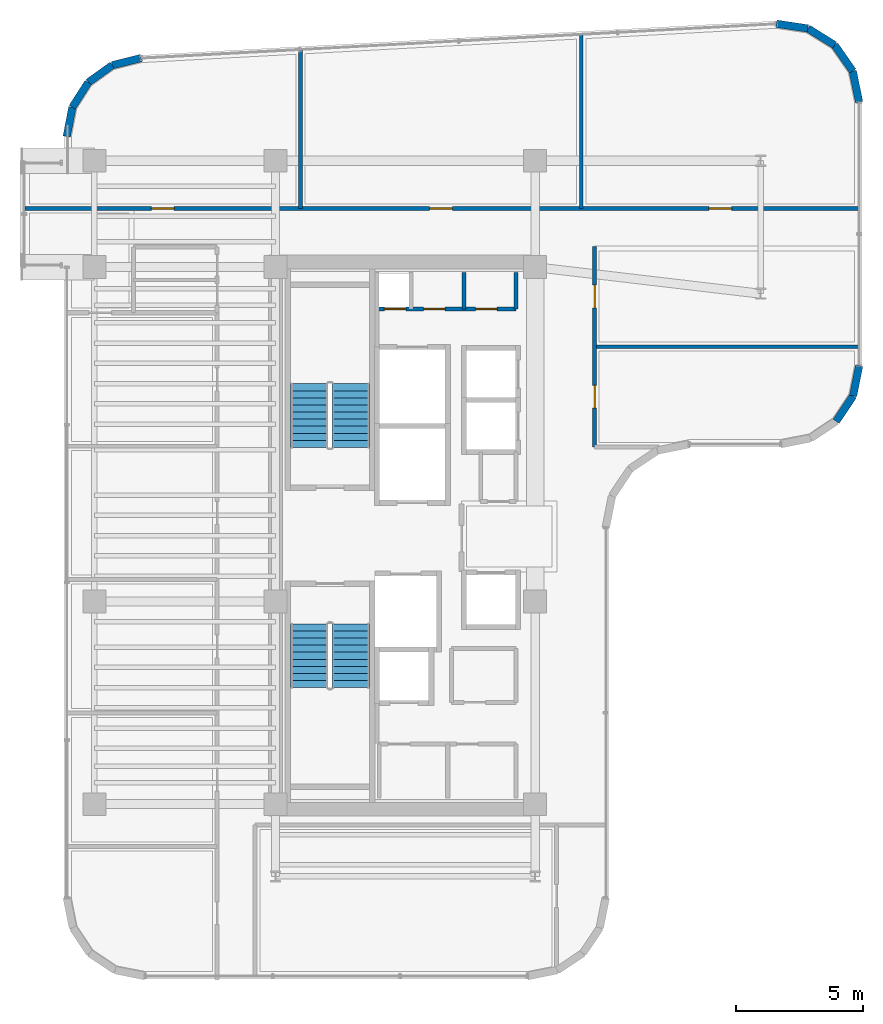
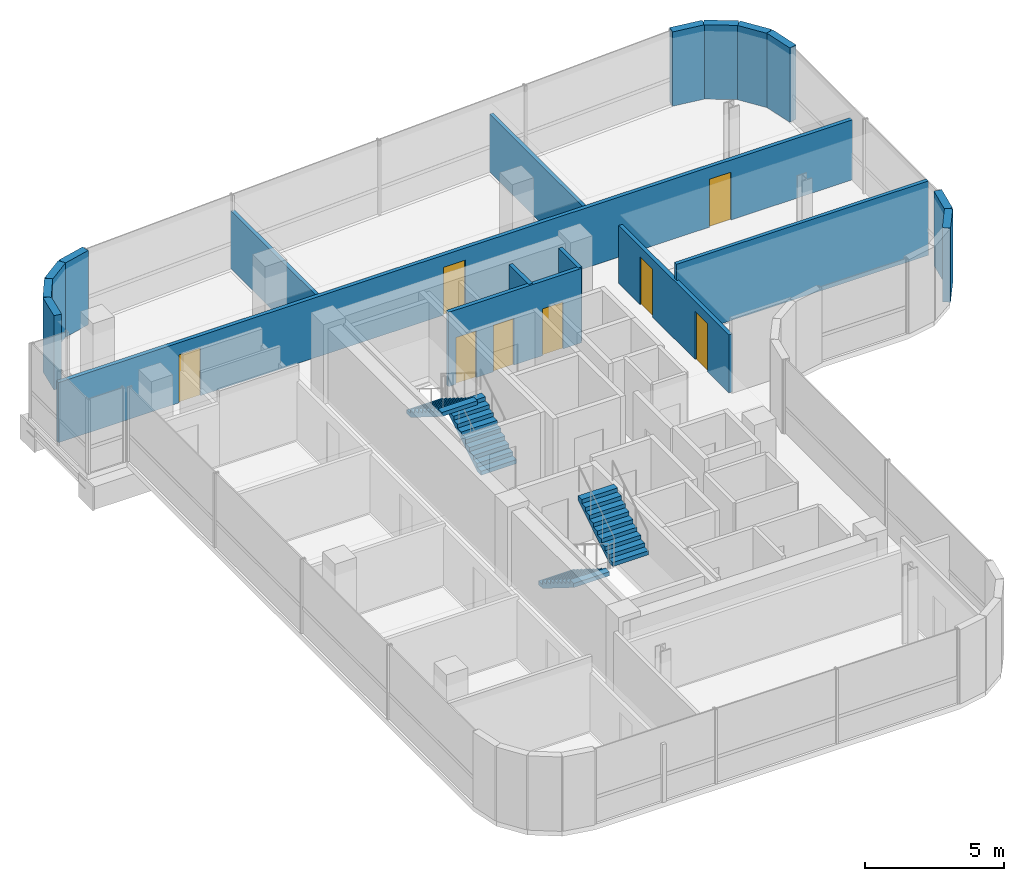
# One storey, part 19 of 21: 18 walls, 8 doors, 4 stair flights, 8 openings, 2 elements without a shape of their own.
"""IFC4 building model written with IfcOpenShell, lengths in metres."""

from ifc_helpers import new_model, si_unit, direction, frame, frame_2d, origin, place, context, subcontext, project, spatial, polyline, rectangle, outline, extrude, material, layer, layer_set, type_object, element, fill, aggregate, save


model = new_model("IFC4")

# Units and contexts
model_context = context("Model", 3, precision=1e-05, world=origin(), true_north=direction((0.0, 1.0)))
body_context = subcontext(model_context, "Body", "Model", "MODEL_VIEW")
ifc_project = project(units=[si_unit("LENGTHUNIT", "METRE"), si_unit("AREAUNIT", "SQUARE_METRE"), si_unit("VOLUMEUNIT", "CUBIC_METRE"), si_unit("PLANEANGLEUNIT", "RADIAN"), si_unit("MASSUNIT", "GRAM", prefix="KILO")], contexts=[model_context])

# Site, building, storey
site_placement = place(None, origin())
site = spatial("IfcSite", under=ifc_project, at=site_placement, CompositionType="ELEMENT")
building_placement = place(site_placement, origin())
building = spatial("IfcBuilding", under=site, at=building_placement, Name="Valdorenza Pilgrim Sanctuary Tower", CompositionType="ELEMENT")
storey_placement = place(building_placement, frame((0.0, 0.0, 223.0)))
storey = spatial("IfcBuildingStorey", under=building, at=storey_placement, Name="L57", CompositionType="ELEMENT", Elevation=223.0)

# Wall, openings, doors
ifc_material_1 = material(Name="Acoustic twin-stud gypsum partition", Category="gypsum")
ifc_layer_1 = layer(ifc_material_1, 0.159912109375, Name="Acoustic twin-stud gypsum partition")
ifc_layer_set_1 = layer_set([ifc_layer_1], Name="Acoustic twin-stud gypsum partition")
wall_type_1 = type_object("IfcWallType", Name="WAL-COR-160", PredefinedType="PARTITIONING", material=ifc_layer_set_1)
wall_1_placement = place(storey_placement, frame((-18.64990234375, 8.949951171875, 0.0), z_axis=(0.0, 0.0, 1.0), x_axis=(1.0, 0.0, 0.0)))
wall_1 = element("IfcWall", 1, at=wall_1_placement, inside=storey, type_object=wall_type_1, Name="L57 Core A North Service South Wall", PredefinedType="PARTITIONING", context=body_context, shape_type="SweptSolid", body=[
    extrude(rectangle(XDim=5.5, YDim=0.159912109375, at=frame_2d((2.75, 0.0))), origin(), (0.0, 0.0, 1.0), 3.260009765625),
])
opening_1_placement = place(wall_1_placement, frame((0.300048828125, 0.0, 0.0)))
opening_1 = element("IfcOpeningElement", 2, at=opening_1_placement, cuts=wall_1, Name="Opening DR-RS1", PredefinedType="OPENING", context=body_context, shape_type="SweptSolid", body=[
    extrude(rectangle(XDim=0.85009765625, YDim=2.050048828125, at=frame_2d((0.425048828125, 1.02490234375))), frame((0.0, 0.0947265625, 0.0), z_axis=(0.0, -1.0, 0.0), x_axis=(1.0, 0.0, 0.0)), (0.0, 0.0, 1.0), 0.189697265625),
])
opening_2_placement = place(wall_1_placement, frame((1.85009765625, 0.0, 0.0)))
opening_2 = element("IfcOpeningElement", 3, at=opening_2_placement, cuts=wall_1, Name="Opening DR-RS1", PredefinedType="OPENING", context=body_context, shape_type="SweptSolid", body=[
    extrude(rectangle(XDim=0.85009765625, YDim=2.050048828125, at=frame_2d((0.425048828125, 1.02490234375))), frame((0.0, 0.0947265625, 0.0), z_axis=(0.0, -1.0, 0.0), x_axis=(1.0, 0.0, 0.0)), (0.0, 0.0, 1.0), 0.189697265625),
])
opening_3_placement = place(wall_1_placement, frame((3.89990234375, 0.0, 0.0)))
opening_3 = element("IfcOpeningElement", 4, at=opening_3_placement, cuts=wall_1, Name="Opening DR-RS1", PredefinedType="OPENING", context=body_context, shape_type="SweptSolid", body=[
    extrude(rectangle(XDim=0.85009765625, YDim=2.050048828125, at=frame_2d((0.425048828125, 1.02490234375))), frame((0.0, 0.0947265625, 0.0), z_axis=(0.0, -1.0, 0.0), x_axis=(1.0, 0.0, 0.0)), (0.0, 0.0, 1.0), 0.189697265625),
])
ifc_material_2 = material(Name="Painted galvanized steel", Category="steel")
door_type_1 = type_object("IfcDoorType", Name="DR-RSR-850", OperationType="NOTDEFINED", PredefinedType="DOOR", material=ifc_material_2)
door_1_placement = place(opening_1_placement, origin())
door_1 = element("IfcDoor", 5, at=door_1_placement, inside=storey, type_object=door_type_1, Name="L57 Core Electrical and Telecom Riser Door", OperationType="SINGLE_SWING_LEFT", OverallHeight=2.050048828125, OverallWidth=0.85009765625, PredefinedType="DOOR", context=body_context, shape_type="SweptSolid", body=[
    extrude(rectangle(XDim=0.85009765625, YDim=2.050048828125, at=frame_2d((0.425048828125, 1.02490234375))), frame((0.0, 0.02490234375, 0.0), z_axis=(0.0, -1.0, 0.0), x_axis=(1.0, 0.0, 0.0)), (0.0, 0.0, 1.0), 0.050048828125),
])
fill(opening_1, door_1)
door_2_placement = place(opening_2_placement, origin())
door_2 = element("IfcDoor", 6, at=door_2_placement, inside=storey, type_object=door_type_1, Name="L57 Housekeeping and Clean Linen Room Door", OperationType="SINGLE_SWING_RIGHT", OverallHeight=2.050048828125, OverallWidth=0.85009765625, PredefinedType="DOOR", context=body_context, shape_type="SweptSolid", body=[
    extrude(rectangle(XDim=0.85009765625, YDim=2.050048828125, at=frame_2d((0.425048828125, 1.02490234375))), frame((0.0, 0.02490234375, 0.0), z_axis=(0.0, -1.0, 0.0), x_axis=(1.0, 0.0, 0.0)), (0.0, 0.0, 1.0), 0.050048828125),
])
fill(opening_2, door_2)
door_3_placement = place(opening_3_placement, origin())
door_3 = element("IfcDoor", 7, at=door_3_placement, inside=storey, type_object=door_type_1, Name="L57 Guest Ice and Vending Pantry Door", OperationType="SINGLE_SWING_LEFT", OverallHeight=2.050048828125, OverallWidth=0.85009765625, PredefinedType="DOOR", context=body_context, shape_type="SweptSolid", body=[
    extrude(rectangle(XDim=0.85009765625, YDim=2.050048828125, at=frame_2d((0.425048828125, 1.02490234375))), frame((0.0, 0.02490234375, 0.0), z_axis=(0.0, -1.0, 0.0), x_axis=(1.0, 0.0, 0.0)), (0.0, 0.0, 1.0), 0.050048828125),
])
fill(opening_3, door_3)

# Walls
for number, where, z_axis, x_axis, name in (
    (8, (-13.14990234375, 8.949951171875, 0.0), (0.0, 0.0, 1.0), (0.0, 1.0, 0.0), "L57 Core A North Service East Wall"),
    (9, (-15.199951171875, 8.949951171875, 0.0), (0.0, 0.0, 1.0), (0.0, 1.0, 0.0), "L57 Core A Housekeeping Split B"),
):
    element("IfcWall", number, at=place(storey_placement, frame(where, z_axis=z_axis, x_axis=x_axis)), inside=storey, type_object=wall_type_1, Name=name, PredefinedType="PARTITIONING", context=body_context, shape_type="SweptSolid", body=[
        extrude(rectangle(XDim=1.429931640625, YDim=0.159912109375, at=frame_2d((0.71484375, 0.0))), origin(), (0.0, 0.0, 1.0), 3.260009765625),
    ])

# Wall, openings, doors
wall_2_placement = place(storey_placement, frame((-32.5400390625, 12.919921875, 0.0), z_axis=(0.0, 0.0, 1.0), x_axis=(1.0, 0.0, 0.0)))
wall_2 = element("IfcWall", 10, at=wall_2_placement, inside=storey, type_object=wall_type_1, Name="L57 North Corridor Wall", PredefinedType="PARTITIONING", context=body_context, shape_type="SweptSolid", body=[
    extrude(rectangle(XDim=32.929931640625, YDim=0.159912109375, at=frame_2d((16.46484375, 0.0))), origin(), (0.0, 0.0, 1.0), 2.634033203125),
])
opening_4_placement = place(wall_2_placement, frame((4.989990234375, 0.0, 0.0)))
opening_4 = element("IfcOpeningElement", 11, at=opening_4_placement, cuts=wall_2, Name="Opening DR-RM1", PredefinedType="OPENING", context=body_context, shape_type="SweptSolid", body=[
    extrude(rectangle(XDim=0.89990234375, YDim=2.10009765625, at=frame_2d((0.449951171875, 1.050048828125))), frame((0.0, 0.0947265625, 0.0), z_axis=(0.0, -1.0, 0.0), x_axis=(1.0, 0.0, 0.0)), (0.0, 0.0, 1.0), 0.189697265625),
])
opening_5_placement = place(wall_2_placement, frame((15.969970703125, 0.0, 0.0)))
opening_5 = element("IfcOpeningElement", 12, at=opening_5_placement, cuts=wall_2, Name="Opening DR-RM1", PredefinedType="OPENING", context=body_context, shape_type="SweptSolid", body=[
    extrude(rectangle(XDim=0.89990234375, YDim=2.10009765625, at=frame_2d((0.449951171875, 1.050048828125))), frame((0.0, 0.0947265625, 0.0), z_axis=(0.0, -1.0, 0.0), x_axis=(1.0, 0.0, 0.0)), (0.0, 0.0, 1.0), 0.189697265625),
])
opening_6_placement = place(wall_2_placement, frame((26.9951171875, 0.0, 0.0)))
opening_6 = element("IfcOpeningElement", 13, at=opening_6_placement, cuts=wall_2, Name="Opening DR-RM1", PredefinedType="OPENING", context=body_context, shape_type="SweptSolid", body=[
    extrude(rectangle(XDim=0.89990234375, YDim=2.10009765625, at=frame_2d((0.449951171875, 1.050048828125))), frame((0.0, 0.0947265625, 0.0), z_axis=(0.0, -1.0, 0.0), x_axis=(1.0, 0.0, 0.0)), (0.0, 0.0, 1.0), 0.189697265625),
])
ifc_material_3 = material(Name="Solid-core European oak timber", Category="wood")
door_type_2 = type_object("IfcDoorType", Name="DR-ROOM-900", OperationType="NOTDEFINED", PredefinedType="DOOR", material=ifc_material_3)
door_4_placement = place(opening_4_placement, frame((0.89990234375, 0.0, 0.0), z_axis=(0.0, 0.0, 1.0), x_axis=(-1.0, 0.0, 0.0)))
door_4 = element("IfcDoor", 14, at=door_4_placement, inside=storey, type_object=door_type_2, Name="L57 Sanctuary Administration Office L57-N1 Door", OperationType="SINGLE_SWING_LEFT", OverallHeight=2.10009765625, OverallWidth=0.89990234375, PredefinedType="DOOR", context=body_context, shape_type="SweptSolid", body=[
    extrude(rectangle(XDim=0.89990234375, YDim=2.10009765625, at=frame_2d((0.449951171875, 1.050048828125))), frame((0.0, 0.02490234375, 0.0), z_axis=(0.0, -1.0, 0.0), x_axis=(1.0, 0.0, 0.0)), (0.0, 0.0, 1.0), 0.050048828125),
])
fill(opening_4, door_4)
door_5_placement = place(opening_5_placement, origin())
door_5 = element("IfcDoor", 15, at=door_5_placement, inside=storey, type_object=door_type_2, Name="L57 Sanctuary Administration Office L57-N2 Door", OperationType="SINGLE_SWING_RIGHT", OverallHeight=2.10009765625, OverallWidth=0.89990234375, PredefinedType="DOOR", context=body_context, shape_type="SweptSolid", body=[
    extrude(rectangle(XDim=0.89990234375, YDim=2.10009765625, at=frame_2d((0.449951171875, 1.050048828125))), frame((0.0, 0.02490234375, 0.0), z_axis=(0.0, -1.0, 0.0), x_axis=(1.0, 0.0, 0.0)), (0.0, 0.0, 1.0), 0.050048828125),
])
fill(opening_5, door_5)
door_6_placement = place(opening_6_placement, frame((0.89990234375, 0.0, 0.0), z_axis=(0.0, 0.0, 1.0), x_axis=(-1.0, 0.0, 0.0)))
door_6 = element("IfcDoor", 16, at=door_6_placement, inside=storey, type_object=door_type_2, Name="L57 Sanctuary Administration Office L57-N3 Door", OperationType="SINGLE_SWING_LEFT", OverallHeight=2.10009765625, OverallWidth=0.89990234375, PredefinedType="DOOR", context=body_context, shape_type="SweptSolid", body=[
    extrude(rectangle(XDim=0.89990234375, YDim=2.10009765625, at=frame_2d((0.449951171875, 1.050048828125))), frame((0.0, 0.02490234375, 0.0), z_axis=(0.0, -1.0, 0.0), x_axis=(1.0, 0.0, 0.0)), (0.0, 0.0, 1.0), 0.050048828125),
])
fill(opening_6, door_6)

wall_3_placement = place(storey_placement, frame((-10.050048828125, 3.5, 0.0), z_axis=(0.0, 0.0, 1.0), x_axis=(0.0, 1.0, 0.0)))
wall_3 = element("IfcWall", 17, at=wall_3_placement, inside=storey, type_object=wall_type_1, Name="L57 East Stub Corridor Wall", PredefinedType="PARTITIONING", context=body_context, shape_type="SweptSolid", body=[
    extrude(rectangle(XDim=7.919921875, YDim=0.159912109375, at=frame_2d((3.9599609375, 0.0))), origin(), (0.0, 0.0, 1.0), 2.5439453125),
])
opening_7_placement = place(wall_3_placement, frame((1.530029296875, 0.0, 0.0)))
opening_7 = element("IfcOpeningElement", 18, at=opening_7_placement, cuts=wall_3, Name="Opening DR-RM1", PredefinedType="OPENING", context=body_context, shape_type="SweptSolid", body=[
    extrude(rectangle(XDim=0.89990234375, YDim=2.10009765625, at=frame_2d((0.449951171875, 1.050048828125))), frame((0.0, 0.0947265625, 0.0), z_axis=(0.0, -1.0, 0.0), x_axis=(1.0, 0.0, 0.0)), (0.0, 0.0, 1.0), 0.189697265625),
])
opening_8_placement = place(wall_3_placement, frame((5.489990234375, 0.0, 0.0)))
opening_8 = element("IfcOpeningElement", 19, at=opening_8_placement, cuts=wall_3, Name="Opening DR-RM1", PredefinedType="OPENING", context=body_context, shape_type="SweptSolid", body=[
    extrude(rectangle(XDim=0.89990234375, YDim=2.10009765625, at=frame_2d((0.449951171875, 1.050048828125))), frame((0.0, 0.0947265625, 0.0), z_axis=(0.0, -1.0, 0.0), x_axis=(1.0, 0.0, 0.0)), (0.0, 0.0, 1.0), 0.189697265625),
])
door_7_placement = place(opening_7_placement, origin())
door_7 = element("IfcDoor", 20, at=door_7_placement, inside=storey, type_object=door_type_2, Name="L57 Pilgrim Scholar Office L57-E1 Door", OperationType="SINGLE_SWING_RIGHT", OverallHeight=2.10009765625, OverallWidth=0.89990234375, PredefinedType="DOOR", context=body_context, shape_type="SweptSolid", body=[
    extrude(rectangle(XDim=0.89990234375, YDim=2.10009765625, at=frame_2d((0.449951171875, 1.050048828125))), frame((0.0, 0.02490234375, 0.0), z_axis=(0.0, -1.0, 0.0), x_axis=(1.0, 0.0, 0.0)), (0.0, 0.0, 1.0), 0.050048828125),
])
fill(opening_7, door_7)
door_8_placement = place(opening_8_placement, frame((0.89990234375, 0.0, 0.0), z_axis=(0.0, 0.0, 1.0), x_axis=(-1.0, 0.0, 0.0)))
door_8 = element("IfcDoor", 21, at=door_8_placement, inside=storey, type_object=door_type_2, Name="L57 Pilgrim Scholar Office L57-E2 Door", OperationType="SINGLE_SWING_LEFT", OverallHeight=2.10009765625, OverallWidth=0.89990234375, PredefinedType="DOOR", context=body_context, shape_type="SweptSolid", body=[
    extrude(rectangle(XDim=0.89990234375, YDim=2.10009765625, at=frame_2d((0.449951171875, 1.050048828125))), frame((0.0, 0.02490234375, 0.0), z_axis=(0.0, -1.0, 0.0), x_axis=(1.0, 0.0, 0.0)), (0.0, 0.0, 1.0), 0.050048828125),
])
fill(opening_8, door_8)

# Walls
ifc_material_4 = material(Name="Honed travertine limestone", Category="masonry")
ifc_layer_2 = layer(ifc_material_4, 0.300048828125, Name="Honed travertine limestone")
ifc_layer_set_2 = layer_set([ifc_layer_2], Name="Honed travertine limestone")
wall_type_2 = type_object("IfcWallType", Name="WAL-EXT-300", PredefinedType="SOLIDWALL", material=ifc_layer_set_2)
wall_4_placement = place(storey_placement, frame((-30.889892578125, 15.757568359375, 0.0), z_axis=(0.0, 0.0, 1.0), x_axis=(0.18831542659, 0.982108598938, 0.0)))
element("IfcWall", 22, at=wall_4_placement, inside=storey, type_object=wall_type_2, Name="L57 Rounded Wind-Corner Stone Pier 2", PredefinedType="SOLIDWALL", context=body_context, shape_type="SweptSolid", body=[
    extrude(rectangle(XDim=1.174560546875, YDim=0.300048828125, at=frame_2d((0.58740234375, 0.0))), origin(), (0.0, 0.0, 1.0), 3.260009765625),
])
wall_5_placement = place(storey_placement, frame((-30.668701171875, 16.9111328125, 0.0), z_axis=(0.0, 0.0, 1.0), x_axis=(0.538678781902, 0.84251122837, 0.0)))
element("IfcWall", 23, at=wall_5_placement, inside=storey, type_object=wall_type_2, Name="L57 Rounded Wind-Corner Stone Pier 3", PredefinedType="SOLIDWALL", context=body_context, shape_type="SweptSolid", body=[
    extrude(rectangle(XDim=1.164306640625, YDim=0.300048828125, at=frame_2d((0.58203125, 0.0))), origin(), (0.0, 0.0, 1.0), 3.260009765625),
])
wall_6_placement = place(storey_placement, frame((-30.04150390625, 17.89208984375, 0.0), z_axis=(0.0, 0.0, 1.0), x_axis=(0.812313539683, 0.583220981487, 0.0)))
element("IfcWall", 24, at=wall_6_placement, inside=storey, type_object=wall_type_2, Name="L57 Rounded Wind-Corner Stone Pier 4", PredefinedType="SOLIDWALL", context=body_context, shape_type="SweptSolid", body=[
    extrude(rectangle(XDim=1.163818359375, YDim=0.300048828125, at=frame_2d((0.58203125, 0.0))), origin(), (0.0, 0.0, 1.0), 3.260009765625),
])
wall_7_placement = place(storey_placement, frame((-29.09619140625, 18.57080078125, 0.0), z_axis=(0.0, 0.0, 1.0), x_axis=(0.97050812798, 0.241068400098, 0.0)))
element("IfcWall", 25, at=wall_7_placement, inside=storey, type_object=wall_type_2, Name="L57 Rounded Wind-Corner Stone Pier 5", PredefinedType="SOLIDWALL", context=body_context, shape_type="SweptSolid", body=[
    extrude(rectangle(XDim=1.1748046875, YDim=0.300048828125, at=frame_2d((0.58740234375, 0.0))), origin(), (0.0, 0.0, 1.0), 3.260009765625),
])
wall_8_placement = place(storey_placement, frame((-2.877685546875, 20.20751953125, 0.0), z_axis=(0.0, 0.0, 1.0), x_axis=(0.988902138571, -0.148568369208, 0.0)))
element("IfcWall", 26, at=wall_8_placement, inside=storey, type_object=wall_type_2, Name="L57 Rounded Wind-Corner Stone Pier 7", PredefinedType="SOLIDWALL", context=body_context, shape_type="SweptSolid", body=[
    extrude(rectangle(XDim=1.257080078125, YDim=0.300048828125, at=frame_2d((0.62841796875, 0.0))), origin(), (0.0, 0.0, 1.0), 3.260009765625),
])
wall_9_placement = place(storey_placement, frame((-1.634521484375, 20.020751953125, 0.0), z_axis=(0.0, 0.0, 1.0), x_axis=(0.849646224094, -0.52735310171, 0.0)))
element("IfcWall", 27, at=wall_9_placement, inside=storey, type_object=wall_type_2, Name="L57 Rounded Wind-Corner Stone Pier 8", PredefinedType="SOLIDWALL", context=body_context, shape_type="SweptSolid", body=[
    extrude(rectangle(XDim=1.245361328125, YDim=0.300048828125, at=frame_2d((0.62255859375, 0.0))), origin(), (0.0, 0.0, 1.0), 3.260009765625),
])
wall_10_placement = place(storey_placement, frame((-0.576416015625, 19.364013671875, 0.0), z_axis=(0.0, 0.0, 1.0), x_axis=(0.572304219931, -0.820041389107, 0.0)))
element("IfcWall", 28, at=wall_10_placement, inside=storey, type_object=wall_type_2, Name="L57 Rounded Wind-Corner Stone Pier 9", PredefinedType="SOLIDWALL", context=body_context, shape_type="SweptSolid", body=[
    extrude(rectangle(XDim=1.24560546875, YDim=0.300048828125, at=frame_2d((0.622802734375, 0.0))), origin(), (0.0, 0.0, 1.0), 3.260009765625),
])
wall_11_placement = place(storey_placement, frame((0.136474609375, 18.342529296875, 0.0), z_axis=(0.0, 0.0, 1.0), x_axis=(0.201603599025, -0.979467196419, 0.0)))
element("IfcWall", 29, at=wall_11_placement, inside=storey, type_object=wall_type_2, Name="L57 Rounded Wind-Corner Stone Pier 10", PredefinedType="SOLIDWALL", context=body_context, shape_type="SweptSolid", body=[
    extrude(rectangle(XDim=1.257080078125, YDim=0.300048828125, at=frame_2d((0.62841796875, 0.0))), origin(), (0.0, 0.0, 1.0), 3.260009765625),
])
wall_12_placement = place(storey_placement, frame((0.389892578125, 6.710693359375, 0.0), z_axis=(0.0, 0.0, 1.0), x_axis=(-0.194996050505, -0.980804027463, 0.0)))
element("IfcWall", 30, at=wall_12_placement, inside=storey, type_object=wall_type_2, Name="L57 Rounded Wind-Corner Stone Pier 12", PredefinedType="SOLIDWALL", context=body_context, shape_type="SweptSolid", body=[
    extrude(rectangle(XDim=1.2158203125, YDim=0.300048828125, at=frame_2d((0.60791015625, 0.0))), origin(), (0.0, 0.0, 1.0), 3.260009765625),
])
wall_13_placement = place(storey_placement, frame((0.15283203125, 5.518310546875, 0.0), z_axis=(0.0, 0.0, 1.0), x_axis=(-0.555635100982, -0.831426265255, 0.0)))
element("IfcWall", 31, at=wall_13_placement, inside=storey, type_object=wall_type_2, Name="L57 Rounded Wind-Corner Stone Pier 13", PredefinedType="SOLIDWALL", context=body_context, shape_type="SweptSolid", body=[
    extrude(rectangle(XDim=1.204833984375, YDim=0.300048828125, at=frame_2d((0.6025390625, 0.0))), origin(), (0.0, 0.0, 1.0), 3.260009765625),
])
ifc_layer_3 = layer(ifc_material_1, 0.14990234375, Name="Acoustic twin-stud gypsum partition")
ifc_layer_set_3 = layer_set([ifc_layer_3], Name="Acoustic twin-stud gypsum partition")
wall_type_3 = type_object("IfcWallType", Name="WAL-UNT-150", PredefinedType="PARTITIONING", material=ifc_layer_set_3)
wall_14_placement = place(storey_placement, frame((-21.659912109375, 12.919921875, 0.0), z_axis=(0.0, 0.0, 1.0), x_axis=(0.0, 1.0, 0.0)))
element("IfcWall", 32, at=wall_14_placement, inside=storey, type_object=wall_type_3, Name="L57 Sanctuary Administration Office L57-N2 Demising Wall", PredefinedType="PARTITIONING", context=body_context, shape_type="SweptSolid", body=[
    extrude(rectangle(XDim=6.27392578125, YDim=0.14990234375, at=frame_2d((3.136962890625, 0.0))), origin(), (0.0, 0.0, 1.0), 2.5439453125),
])
wall_15_placement = place(storey_placement, frame((-10.580078125, 12.919921875, 0.0), z_axis=(0.0, 0.0, 1.0), x_axis=(0.0, 1.0, 0.0)))
element("IfcWall", 33, at=wall_15_placement, inside=storey, type_object=wall_type_3, Name="L57 Sanctuary Administration Office L57-N3 Demising Wall", PredefinedType="PARTITIONING", context=body_context, shape_type="SweptSolid", body=[
    extrude(rectangle(XDim=6.8720703125, YDim=0.14990234375, at=frame_2d((3.43603515625, 0.0))), origin(), (0.0, 0.0, 1.0), 2.5439453125),
])
wall_16_placement = place(storey_placement, frame((-10.050048828125, 7.4599609375, 0.0), z_axis=(0.0, 0.0, 1.0), x_axis=(1.0, 0.0, 0.0)))
element("IfcWall", 34, at=wall_16_placement, inside=storey, type_object=wall_type_3, Name="L57 Pilgrim Scholar Office L57-E2 Demising Wall", PredefinedType="PARTITIONING", context=body_context, shape_type="SweptSolid", body=[
    extrude(rectangle(XDim=10.43994140625, YDim=0.14990234375, at=frame_2d((5.219970703125, 0.0))), origin(), (0.0, 0.0, 1.0), 3.260009765625),
])

# Stair, stair flights
ifc_material_5 = material(Name="Concrete C40/50", Category="concrete")
stair_type = type_object("IfcStairType", Name="STR-DOG-CORE", PredefinedType="HALF_TURN_STAIR", material=ifc_material_5)
stair_1_placement = place(storey_placement, origin())
stair_1 = element("IfcStair", 35, at=stair_1_placement, inside=storey, type_object=stair_type, Name="L57 ST-A1", PredefinedType="HALF_TURN_STAIR")
stair_flight_type = type_object("IfcStairFlightType", Name="STF-RC-1400", PredefinedType="STRAIGHT", material=ifc_material_5)
stair_flight_1_placement = place(storey_placement, frame((-19.679931640625, 3.47998046875, 0.0), z_axis=(0.0, 0.0, 1.0), x_axis=(0.0, 1.0, 0.0)))
stair_flight_1 = element("IfcStairFlight", 36, at=stair_flight_1_placement, type_object=stair_flight_type, Name="ST-A1 flight 1", NumberOfRisers=10, NumberOfTreads=9, PredefinedType="STRAIGHT", RiserHeight=0.175, TreadLength=0.28, context=body_context, shape_type="SweptSolid", body=[
    extrude(outline(polyline([(0.0, 0.0), (0.0, 0.175048828125), (0.280029296875, 0.175048828125), (0.280029296875, 0.35009765625), (0.56005859375, 0.35009765625), (0.56005859375, 0.52490234375), (0.840087890625, 0.52490234375), (0.840087890625, 0.699951171875), (1.1201171875, 0.699951171875), (1.1201171875, 0.875), (1.39990234375, 0.875), (1.39990234375, 1.050048828125), (1.679931640625, 1.050048828125), (1.679931640625, 1.22509765625), (1.9599609375, 1.22509765625), (1.9599609375, 1.39990234375), (2.239990234375, 1.39990234375), (2.239990234375, 1.574951171875), (2.52001953125, 1.574951171875), (2.52001953125, 1.75), (2.52001953125, 1.398193359375), (0.28271484375, 0.0), (0.0, 0.0)])), frame((0.0, 0.739990234375, 0.0), z_axis=(0.0, -1.0, 0.0), x_axis=(1.0, 0.0, 0.0)), (0.0, 0.0, 1.0), 1.47998046875),
])
stair_flight_2_placement = place(storey_placement, frame((-21.31005859375, 6.0, 1.75), z_axis=(0.0, 0.0, 1.0), x_axis=(0.0, -1.0, 0.0)))
stair_flight_2 = element("IfcStairFlight", 37, at=stair_flight_2_placement, type_object=stair_flight_type, Name="ST-A1 flight 2", NumberOfRisers=10, NumberOfTreads=9, PredefinedType="STRAIGHT", RiserHeight=0.175, TreadLength=0.28, context=body_context, shape_type="SweptSolid", body=[
    extrude(outline(polyline([(0.0, 0.0), (0.0, 0.175048828125), (0.280029296875, 0.175048828125), (0.280029296875, 0.35009765625), (0.56005859375, 0.35009765625), (0.56005859375, 0.52490234375), (0.840087890625, 0.52490234375), (0.840087890625, 0.699951171875), (1.1201171875, 0.699951171875), (1.1201171875, 0.875), (1.39990234375, 0.875), (1.39990234375, 1.050048828125), (1.679931640625, 1.050048828125), (1.679931640625, 1.22509765625), (1.9599609375, 1.22509765625), (1.9599609375, 1.39990234375), (2.239990234375, 1.39990234375), (2.239990234375, 1.574951171875), (2.52001953125, 1.574951171875), (2.52001953125, 1.75), (2.52001953125, 1.398193359375), (0.28271484375, 0.0), (0.0, 0.0)])), frame((0.0, 0.739990234375, 0.0), z_axis=(0.0, -1.0, 0.0), x_axis=(1.0, 0.0, 0.0)), (0.0, 0.0, 1.0), 1.47998046875),
])
aggregate(stair_1, [stair_flight_1, stair_flight_2])

stair_2_placement = place(storey_placement, origin())
stair_2 = element("IfcStair", 38, at=stair_2_placement, inside=storey, type_object=stair_type, Name="L57 ST-A2", PredefinedType="HALF_TURN_STAIR")
stair_flight_3_placement = place(storey_placement, frame((-21.31005859375, -3.47998046875, 0.0), z_axis=(0.0, 0.0, 1.0), x_axis=(0.0, -1.0, 0.0)))
stair_flight_3 = element("IfcStairFlight", 39, at=stair_flight_3_placement, type_object=stair_flight_type, Name="ST-A2 flight 1", NumberOfRisers=10, NumberOfTreads=9, PredefinedType="STRAIGHT", RiserHeight=0.175, TreadLength=0.28, context=body_context, shape_type="SweptSolid", body=[
    extrude(outline(polyline([(0.0, 0.0), (0.0, 0.175048828125), (0.280029296875, 0.175048828125), (0.280029296875, 0.35009765625), (0.56005859375, 0.35009765625), (0.56005859375, 0.52490234375), (0.840087890625, 0.52490234375), (0.840087890625, 0.699951171875), (1.1201171875, 0.699951171875), (1.1201171875, 0.875), (1.39990234375, 0.875), (1.39990234375, 1.050048828125), (1.679931640625, 1.050048828125), (1.679931640625, 1.22509765625), (1.9599609375, 1.22509765625), (1.9599609375, 1.39990234375), (2.239990234375, 1.39990234375), (2.239990234375, 1.574951171875), (2.52001953125, 1.574951171875), (2.52001953125, 1.75), (2.52001953125, 1.398193359375), (0.28271484375, 0.0), (0.0, 0.0)])), frame((0.0, 0.739990234375, 0.0), z_axis=(0.0, -1.0, 0.0), x_axis=(1.0, 0.0, 0.0)), (0.0, 0.0, 1.0), 1.47998046875),
])
stair_flight_4_placement = place(storey_placement, frame((-19.679931640625, -6.0, 1.75), z_axis=(0.0, 0.0, 1.0), x_axis=(0.0, 1.0, 0.0)))
stair_flight_4 = element("IfcStairFlight", 40, at=stair_flight_4_placement, type_object=stair_flight_type, Name="ST-A2 flight 2", NumberOfRisers=10, NumberOfTreads=9, PredefinedType="STRAIGHT", RiserHeight=0.175, TreadLength=0.28, context=body_context, shape_type="SweptSolid", body=[
    extrude(outline(polyline([(0.0, 0.0), (0.0, 0.175048828125), (0.280029296875, 0.175048828125), (0.280029296875, 0.35009765625), (0.56005859375, 0.35009765625), (0.56005859375, 0.52490234375), (0.840087890625, 0.52490234375), (0.840087890625, 0.699951171875), (1.1201171875, 0.699951171875), (1.1201171875, 0.875), (1.39990234375, 0.875), (1.39990234375, 1.050048828125), (1.679931640625, 1.050048828125), (1.679931640625, 1.22509765625), (1.9599609375, 1.22509765625), (1.9599609375, 1.39990234375), (2.239990234375, 1.39990234375), (2.239990234375, 1.574951171875), (2.52001953125, 1.574951171875), (2.52001953125, 1.75), (2.52001953125, 1.398193359375), (0.28271484375, 0.0), (0.0, 0.0)])), frame((0.0, 0.739990234375, 0.0), z_axis=(0.0, -1.0, 0.0), x_axis=(1.0, 0.0, 0.0)), (0.0, 0.0, 1.0), 1.47998046875),
])
aggregate(stair_2, [stair_flight_3, stair_flight_4])

save(model, "model.ifc")
